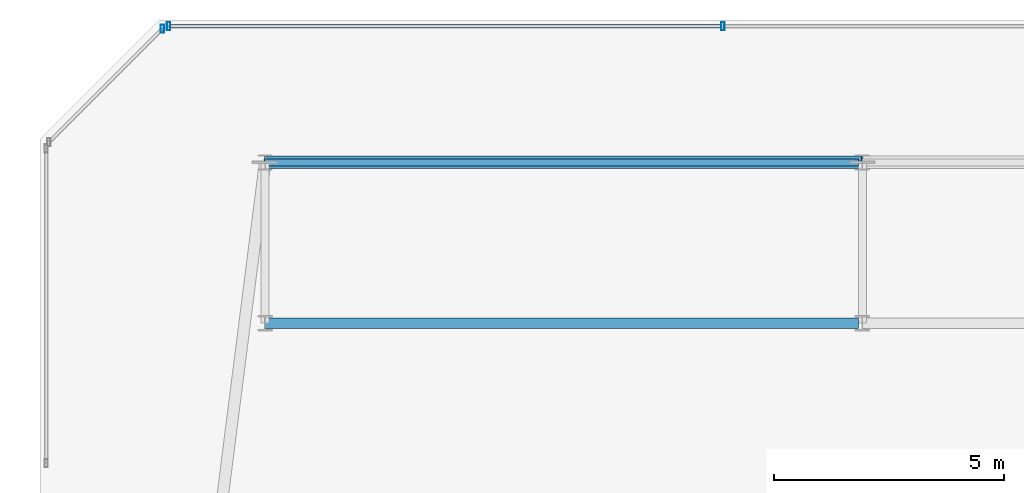
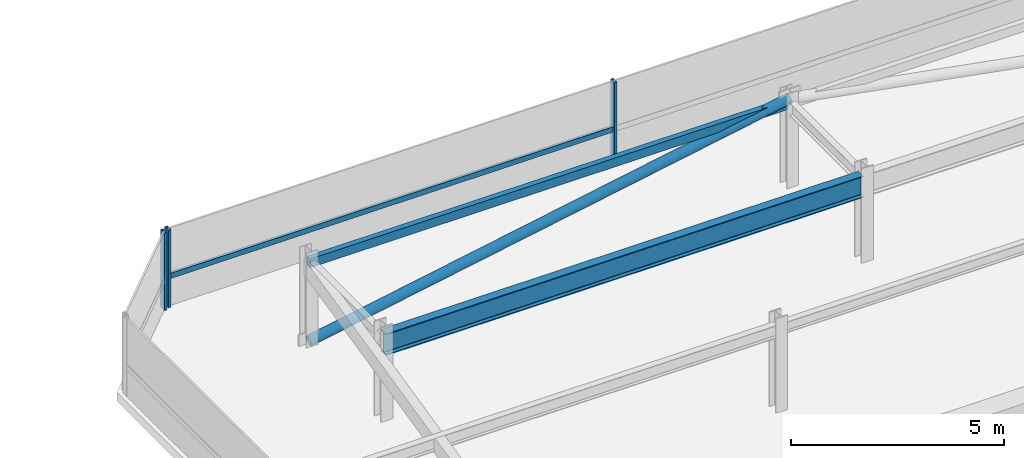
# One storey, part 33 of 42: 5 members, 2 beams, 2 elements without a shape of their own.
"""IFC4 building model written with IfcOpenShell, lengths in metres."""

from ifc_helpers import new_model, si_unit, direction, frame, origin, origin_2d, place, context, subcontext, project, spatial, hollow_rectangle, hollow_circle, i_section, extrude, material, material_profile, profile_set, type_object, element, aggregate, save


model = new_model("IFC4")

# Units and contexts
model_context = context("Model", 3, precision=1e-05, world=origin(), true_north=direction((0.0, 1.0)))
body_context = subcontext(model_context, "Body", "Model", "MODEL_VIEW")
ifc_project = project(units=[si_unit("LENGTHUNIT", "METRE"), si_unit("AREAUNIT", "SQUARE_METRE"), si_unit("VOLUMEUNIT", "CUBIC_METRE"), si_unit("PLANEANGLEUNIT", "RADIAN"), si_unit("MASSUNIT", "GRAM", prefix="KILO")], contexts=[model_context])

# Site, building, storey
site_placement = place(None, origin())
site = spatial("IfcSite", under=ifc_project, at=site_placement, CompositionType="ELEMENT")
building_placement = place(site_placement, origin())
building = spatial("IfcBuilding", under=site, at=building_placement, Name="Thornwick Lancets Civic Towers", CompositionType="ELEMENT")
storey_placement = place(building_placement, frame((0.0, 0.0, 286.800048828125)))
storey = spatial("IfcBuildingStorey", under=building, at=storey_placement, Name="C03", CompositionType="ELEMENT", Elevation=286.800048828125)

# Beams
ifc_material_1 = material(Name="Steel S355JR", Category="steel")
ifc_material_profile_1 = material_profile(ifc_material_1, hollow_rectangle(XDim=0.14990234375, YDim=0.25, WallThickness=0.012451171875, at=origin_2d()), Name="RHS 250x150x12.5")
ifc_profile_set_1 = profile_set([ifc_material_profile_1], Name="Steel S355JR")
beam_type_1 = type_object("IfcBeamType", Name="BM_CROWN_RHS250", PredefinedType="BEAM", material=ifc_profile_set_1)
beam_1_placement = place(storey_placement, frame((88.419921875, 47.800048828125, 2.31494140625), z_axis=(-1.0, 0.0, 0.0), x_axis=(0.0, -1.0, 0.0)))
element("IfcBeam", 1, at=beam_1_placement, inside=storey, type_object=beam_type_1, Name="BM-EDGE-C03-B-S1-2", PredefinedType="BEAM", context=body_context, shape_type="SweptSolid", body=[
    extrude(hollow_rectangle(XDim=0.14990234375, YDim=0.25, WallThickness=0.012451171875, at=origin_2d()), origin(), (0.0, 0.0, 1.0), 12.919921875),
])
ifc_material_profile_2 = material_profile(ifc_material_1, i_section(OverallWidth=0.230224609375, OverallDepth=0.6171875, WebThickness=0.01318359375, FlangeThickness=0.022216796875, FilletRadius=0.0126953125, at=origin_2d()), Name="UKB 610x229x140")
ifc_profile_set_2 = profile_set([ifc_material_profile_2], Name="Steel S355JR")
beam_type_2 = type_object("IfcBeamType", Name="BM_GIRD_610_140", PredefinedType="BEAM", material=ifc_profile_set_2)
beam_2_placement = place(storey_placement, frame((88.419921875, 44.300048828125, 2.13134765625), z_axis=(-1.0, 0.0, 0.0), x_axis=(0.0, -1.0, 0.0)))
element("IfcBeam", 2, at=beam_2_placement, inside=storey, type_object=beam_type_2, Name="BM-SPINE-C03-B-4-5", PredefinedType="BEAM", context=body_context, shape_type="SweptSolid", body=[
    extrude(i_section(OverallWidth=0.230224609375, OverallDepth=0.6171875, WebThickness=0.01318359375, FlangeThickness=0.022216796875, FilletRadius=0.0126953125, at=origin_2d()), origin(), (0.0, 0.0, 1.0), 12.919921875),
])

# Curtain wall, members
ifc_material_2 = material(Name="Crown ring acoustic-louvre and glazing screen wall", Category="glass")
curtain_wall_type = type_object("IfcCurtainWallType", Name="CW_SYS_07", PredefinedType="NOTDEFINED", material=ifc_material_2)
curtain_wall_1_placement = place(storey_placement, origin())
curtain_wall_1 = element("IfcCurtainWall", 3, at=curtain_wall_1_placement, inside=storey, type_object=curtain_wall_type, Name="C03 Curtain Wall CW-C03-B-E4", PredefinedType="NOTDEFINED")
ifc_material_3 = material(Name="Thermally broken bronze aluminium S355", Category="steel")
ifc_material_profile_3 = material_profile(ifc_material_3, hollow_rectangle(XDim=0.074951171875, YDim=0.179931640625, WallThickness=0.006103515625, at=origin_2d()), Name="RHS 180x75x6")
ifc_profile_set_3 = profile_set([ifc_material_profile_3], Name="Thermally broken bronze aluminium S355")
member_type_1 = type_object("IfcMemberType", Name="CW_MUL_180", PredefinedType="MULLION", material=ifc_profile_set_3)
member_1_placement = place(storey_placement, frame((85.46630859375, 50.7646484375, 0.0), z_axis=(0.0, 0.0, 1.0), x_axis=(1.0, 0.0, 0.0)))
member_1 = element("IfcMember", 4, at=member_1_placement, type_object=member_type_1, Name="CW-C03-B-E4 Mullion 2", PredefinedType="MULLION", context=body_context, shape_type="SweptSolid", body=[
    extrude(hollow_rectangle(XDim=0.074951171875, YDim=0.179931640625, WallThickness=0.006103515625, at=origin_2d()), origin(), (0.0, 0.0, 1.0), 2.219970703125),
])
member_2_placement = place(storey_placement, frame((73.398681640625, 50.7646484375, 0.0), z_axis=(0.0, 0.0, 1.0), x_axis=(1.0, 0.0, 0.0)))
member_2 = element("IfcMember", 5, at=member_2_placement, type_object=member_type_1, Name="CW-C03-B-E4 Mullion 3", PredefinedType="MULLION", context=body_context, shape_type="SweptSolid", body=[
    extrude(hollow_rectangle(XDim=0.074951171875, YDim=0.179931640625, WallThickness=0.006103515625, at=origin_2d()), origin(), (0.0, 0.0, 1.0), 2.219970703125),
])

# Curtain wall, member
curtain_wall_2_placement = place(storey_placement, origin())
curtain_wall_2 = element("IfcCurtainWall", 6, at=curtain_wall_2_placement, inside=storey, type_object=curtain_wall_type, Name="C03 Curtain Wall CW-C03-B-E5", PredefinedType="NOTDEFINED")
member_3_placement = place(storey_placement, frame((73.261962890625, 50.7080078125, 0.0), z_axis=(0.0, 0.0, 1.0), x_axis=(1.0, 0.0, 0.0)))
member_3 = element("IfcMember", 7, at=member_3_placement, type_object=member_type_1, Name="CW-C03-B-E5 Mullion 0", PredefinedType="MULLION", context=body_context, shape_type="SweptSolid", body=[
    extrude(hollow_rectangle(XDim=0.074951171875, YDim=0.179931640625, WallThickness=0.006103515625, at=origin_2d()), origin(), (0.0, 0.0, 1.0), 2.219970703125),
])
aggregate(curtain_wall_2, [member_3])

# Member
ifc_material_profile_4 = material_profile(ifc_material_3, hollow_rectangle(XDim=0.074951171875, YDim=0.14990234375, WallThickness=0.0048828125, at=origin_2d()), Name="RHS 150x75x5")
ifc_profile_set_4 = profile_set([ifc_material_profile_4], Name="Thermally broken bronze aluminium S355")
member_type_2 = type_object("IfcMemberType", Name="CW_TRN_150", PredefinedType="USERDEFINED", material=ifc_profile_set_4)
member_4_placement = place(storey_placement, frame((85.4462890625, 50.7646484375, 0.849853515625), z_axis=(-1.0, 0.0, 0.0), x_axis=(0.0, -1.0, 0.0)))
member_4 = element("IfcMember", 8, at=member_4_placement, type_object=member_type_2, Name="CW-C03-B-E4 Transom 2", ObjectType="TRANSOM", PredefinedType="USERDEFINED", context=body_context, shape_type="SweptSolid", body=[
    extrude(hollow_rectangle(XDim=0.074951171875, YDim=0.14990234375, WallThickness=0.0048828125, at=origin_2d()), origin(), (0.0, 0.0, 1.0), 12.027587890625),
])

aggregate(curtain_wall_1, [member_1, member_2, member_4])

ifc_material_profile_5 = material_profile(ifc_material_1, hollow_circle(Radius=0.136474609375, WallThickness=0.012451171875, at=origin_2d()), Name="CHS 273x12.5")
ifc_profile_set_5 = profile_set([ifc_material_profile_5], Name="Steel S355JR")
member_type_3 = type_object("IfcMemberType", Name="MEM_CROWN_CHS273", PredefinedType="BRACE", material=ifc_profile_set_5)
member_5_placement = place(storey_placement, frame((75.5, 47.800048828125, 0.050048828125), z_axis=(0.98351842104, 0.0, 0.180807951915), x_axis=(0.0, 1.0, 0.0)))
element("IfcMember", 9, at=member_5_placement, inside=storey, type_object=member_type_3, Name="C03 Crown Ring Lancet Rib B-S1-R", PredefinedType="BRACE", context=body_context, shape_type="SweptSolid", body=[
    extrude(hollow_circle(Radius=0.136474609375, WallThickness=0.012451171875, at=origin_2d()), origin(), (0.0, 0.0, 1.0), 13.2177734375),
])

save(model, "model.ifc")
